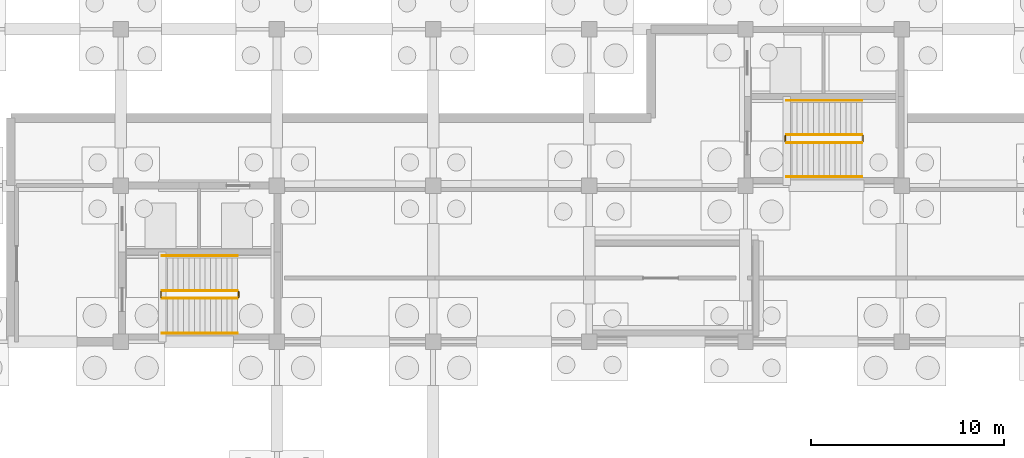
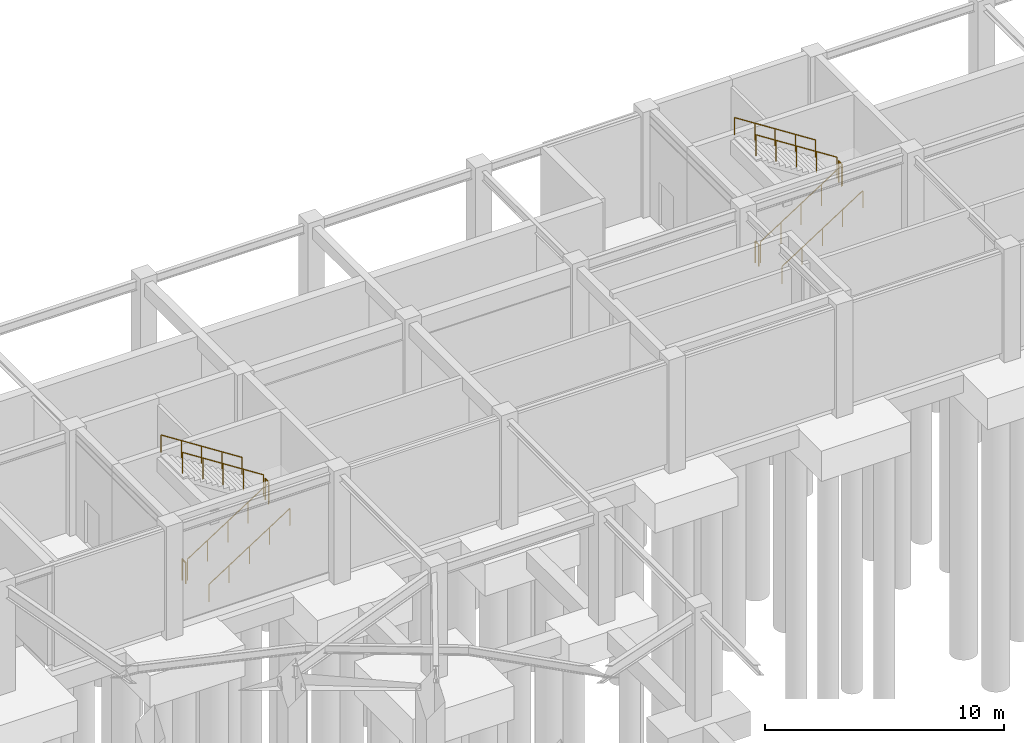
# One storey, part 23 of 26: 12 railings.
"""IFC4 building model written with IfcOpenShell, lengths in metres."""

from ifc_helpers import new_model, si_unit, direction, frame, origin, origin_2d, place, context, subcontext, project, spatial, circle, extrude, material, type_object, element, save


model = new_model("IFC4")

# Units and contexts
model_context = context("Model", 3, precision=1e-05, world=origin(), true_north=direction((0.0, 1.0)))
body_context = subcontext(model_context, "Body", "Model", "MODEL_VIEW")
ifc_project = project(units=[si_unit("LENGTHUNIT", "METRE"), si_unit("AREAUNIT", "SQUARE_METRE"), si_unit("VOLUMEUNIT", "CUBIC_METRE"), si_unit("PLANEANGLEUNIT", "RADIAN"), si_unit("MASSUNIT", "GRAM", prefix="KILO")], contexts=[model_context])

# Site, building, storey
site_placement = place(None, origin())
site = spatial("IfcSite", under=ifc_project, at=site_placement, CompositionType="ELEMENT")
building_placement = place(site_placement, origin())
building = spatial("IfcBuilding", under=site, at=building_placement, Name="Parian Resonance Hall", CompositionType="ELEMENT")
storey_placement = place(building_placement, frame((0.0, 0.0, -5.39990234375)))
storey = spatial("IfcBuildingStorey", under=building, at=storey_placement, Name="B1", CompositionType="ELEMENT", Elevation=-5.39990234375)

# Railings
ifc_material_1 = material(Name="Patinated bronze whiplash metalwork")
railing_type_1 = type_object("IfcRailingType", Name="RAIL-STAIR-GRD-1100", PredefinedType="GUARDRAIL", material=ifc_material_1)
railing_1_placement = place(storey_placement, frame((58.840087890625, 75.14990234375, 0.179931640625)))
element("IfcRailing", 1, at=railing_1_placement, inside=storey, type_object=railing_type_1, Name="B1 ST-01 stair guard 1", PredefinedType="GUARDRAIL", context=body_context, shape_type="SweptSolid", body=[
    extrude(circle(Radius=0.02392578125, at=origin_2d()), frame((0.0, 0.0, 1.076171875), z_axis=(0.841171666519, 0.0, 0.540768182723), x_axis=(0.0, 1.0, 0.0)), (0.0, 0.0, 1.0), 4.66015625),
    extrude(circle(Radius=0.02099609375, at=origin_2d()), origin(), (0.0, 0.0, 1.0), 1.052001953125),
    extrude(circle(Radius=0.02099609375, at=origin_2d()), frame((0.97998046875, 0.0, 0.6298828125)), (0.0, 0.0, 1.0), 1.052001953125),
    extrude(circle(Radius=0.02099609375, at=origin_2d()), frame((1.9599609375, 0.0, 1.260009765625)), (0.0, 0.0, 1.0), 1.052001953125),
    extrude(circle(Radius=0.02099609375, at=origin_2d()), frame((2.93994140625, 0.0, 1.89013671875)), (0.0, 0.0, 1.0), 1.052001953125),
    extrude(circle(Radius=0.02099609375, at=origin_2d()), frame((3.919921875, 0.0, 2.52001953125)), (0.0, 0.0, 1.0), 1.052001953125),
])
railing_2_placement = place(storey_placement, frame((62.81005859375, 75.199951171875, 2.699951171875)))
element("IfcRailing", 2, at=railing_2_placement, inside=storey, type_object=railing_type_1, Name="B1 ST-01 stair guard 2", PredefinedType="GUARDRAIL", context=body_context, shape_type="SweptSolid", body=[
    extrude(circle(Radius=0.02392578125, at=origin_2d()), frame((0.0, 0.0, 1.076171875), z_axis=(0.0, 1.0, 0.0), x_axis=(-1.0, 0.0, 0.0)), (0.0, 0.0, 1.0), 0.300048828125),
    extrude(circle(Radius=0.02099609375, at=origin_2d()), origin(), (0.0, 0.0, 1.0), 1.052001953125),
    extrude(circle(Radius=0.02099609375, at=origin_2d()), frame((0.0, 0.300048828125, 0.0)), (0.0, 0.0, 1.0), 1.052001953125),
])
railing_3_placement = place(storey_placement, frame((62.760009765625, 75.550048828125, 2.8798828125)))
element("IfcRailing", 3, at=railing_3_placement, inside=storey, type_object=railing_type_1, Name="B1 ST-01 stair guard 3", PredefinedType="GUARDRAIL", context=body_context, shape_type="SweptSolid", body=[
    extrude(circle(Radius=0.02392578125, at=origin_2d()), frame((0.0, 0.0, 1.076171875), z_axis=(-0.841171666519, 0.0, 0.540768182723), x_axis=(0.0, -1.0, 0.0)), (0.0, 0.0, 1.0), 4.66015625),
    extrude(circle(Radius=0.02099609375, at=origin_2d()), origin(), (0.0, 0.0, 1.0), 1.052001953125),
    extrude(circle(Radius=0.02099609375, at=origin_2d()), frame((-0.97998046875, 0.0, 0.6298828125)), (0.0, 0.0, 1.0), 1.052001953125),
    extrude(circle(Radius=0.02099609375, at=origin_2d()), frame((-1.9599609375, 0.0, 1.260009765625)), (0.0, 0.0, 1.0), 1.052001953125),
    extrude(circle(Radius=0.02099609375, at=origin_2d()), frame((-2.93994140625, 0.0, 1.89013671875)), (0.0, 0.0, 1.0), 1.052001953125),
    extrude(circle(Radius=0.02099609375, at=origin_2d()), frame((-3.919921875, 0.0, 2.52001953125)), (0.0, 0.0, 1.0), 1.052001953125),
])
railing_4_placement = place(storey_placement, frame((58.7900390625, 75.199951171875, 0.0)))
element("IfcRailing", 4, at=railing_4_placement, inside=storey, type_object=railing_type_1, Name="B1 ST-01 stair guard 4", PredefinedType="GUARDRAIL", context=body_context, shape_type="SweptSolid", body=[
    extrude(circle(Radius=0.02392578125, at=origin_2d()), frame((0.0, 0.0, 1.076171875), z_axis=(0.0, 1.0, 0.0), x_axis=(-1.0, 0.0, 0.0)), (0.0, 0.0, 1.0), 0.300048828125),
    extrude(circle(Radius=0.02099609375, at=origin_2d()), origin(), (0.0, 0.0, 1.0), 1.052001953125),
    extrude(circle(Radius=0.02099609375, at=origin_2d()), frame((0.0, 0.300048828125, 0.0)), (0.0, 0.0, 1.0), 1.052001953125),
])
railing_5_placement = place(storey_placement, frame((91.219970703125, 83.22998046875, 0.179931640625)))
element("IfcRailing", 5, at=railing_5_placement, inside=storey, type_object=railing_type_1, Name="B1 ST-05 stair guard 1", PredefinedType="GUARDRAIL", context=body_context, shape_type="SweptSolid", body=[
    extrude(circle(Radius=0.02392578125, at=origin_2d()), frame((0.0, 0.0, 1.076171875), z_axis=(0.841171666519, 0.0, 0.540768182723), x_axis=(0.0, 1.0, 0.0)), (0.0, 0.0, 1.0), 4.66015625),
    extrude(circle(Radius=0.02099609375, at=origin_2d()), origin(), (0.0, 0.0, 1.0), 1.052001953125),
    extrude(circle(Radius=0.02099609375, at=origin_2d()), frame((0.97998046875, 0.0, 0.6298828125)), (0.0, 0.0, 1.0), 1.052001953125),
    extrude(circle(Radius=0.02099609375, at=origin_2d()), frame((1.9599609375, 0.0, 1.260009765625)), (0.0, 0.0, 1.0), 1.052001953125),
    extrude(circle(Radius=0.02099609375, at=origin_2d()), frame((2.93994140625, 0.0, 1.89013671875)), (0.0, 0.0, 1.0), 1.052001953125),
    extrude(circle(Radius=0.02099609375, at=origin_2d()), frame((3.919921875, 0.0, 2.52001953125)), (0.0, 0.0, 1.0), 1.052001953125),
])
railing_6_placement = place(storey_placement, frame((95.18994140625, 83.280029296875, 2.699951171875)))
element("IfcRailing", 6, at=railing_6_placement, inside=storey, type_object=railing_type_1, Name="B1 ST-05 stair guard 2", PredefinedType="GUARDRAIL", context=body_context, shape_type="SweptSolid", body=[
    extrude(circle(Radius=0.02392578125, at=origin_2d()), frame((0.0, 0.0, 1.076171875), z_axis=(0.0, 1.0, 0.0), x_axis=(-1.0, 0.0, 0.0)), (0.0, 0.0, 1.0), 0.300048828125),
    extrude(circle(Radius=0.02099609375, at=origin_2d()), origin(), (0.0, 0.0, 1.0), 1.052001953125),
    extrude(circle(Radius=0.02099609375, at=origin_2d()), frame((0.0, 0.300048828125, 0.0)), (0.0, 0.0, 1.0), 1.052001953125),
])
railing_7_placement = place(storey_placement, frame((95.139892578125, 83.6298828125, 2.8798828125)))
element("IfcRailing", 7, at=railing_7_placement, inside=storey, type_object=railing_type_1, Name="B1 ST-05 stair guard 3", PredefinedType="GUARDRAIL", context=body_context, shape_type="SweptSolid", body=[
    extrude(circle(Radius=0.02392578125, at=origin_2d()), frame((0.0, 0.0, 1.076171875), z_axis=(-0.841171666519, 0.0, 0.540768182723), x_axis=(0.0, -1.0, 0.0)), (0.0, 0.0, 1.0), 4.66015625),
    extrude(circle(Radius=0.02099609375, at=origin_2d()), origin(), (0.0, 0.0, 1.0), 1.052001953125),
    extrude(circle(Radius=0.02099609375, at=origin_2d()), frame((-0.97998046875, 0.0, 0.6298828125)), (0.0, 0.0, 1.0), 1.052001953125),
    extrude(circle(Radius=0.02099609375, at=origin_2d()), frame((-1.9599609375, 0.0, 1.260009765625)), (0.0, 0.0, 1.0), 1.052001953125),
    extrude(circle(Radius=0.02099609375, at=origin_2d()), frame((-2.93994140625, 0.0, 1.89013671875)), (0.0, 0.0, 1.0), 1.052001953125),
    extrude(circle(Radius=0.02099609375, at=origin_2d()), frame((-3.919921875, 0.0, 2.52001953125)), (0.0, 0.0, 1.0), 1.052001953125),
])
railing_8_placement = place(storey_placement, frame((91.169921875, 83.280029296875, 0.0)))
element("IfcRailing", 8, at=railing_8_placement, inside=storey, type_object=railing_type_1, Name="B1 ST-05 stair guard 4", PredefinedType="GUARDRAIL", context=body_context, shape_type="SweptSolid", body=[
    extrude(circle(Radius=0.02392578125, at=origin_2d()), frame((0.0, 0.0, 1.076171875), z_axis=(0.0, 1.0, 0.0), x_axis=(-1.0, 0.0, 0.0)), (0.0, 0.0, 1.0), 0.300048828125),
    extrude(circle(Radius=0.02099609375, at=origin_2d()), origin(), (0.0, 0.0, 1.0), 1.052001953125),
    extrude(circle(Radius=0.02099609375, at=origin_2d()), frame((0.0, 0.300048828125, 0.0)), (0.0, 0.0, 1.0), 1.052001953125),
])
ifc_material_2 = material(Name="Patinated bronze whiplash metalwork")
railing_type_2 = type_object("IfcRailingType", Name="RAIL-STAIR-HR-900", PredefinedType="HANDRAIL", material=ifc_material_2)
railing_9_placement = place(storey_placement, frame((58.840087890625, 73.35009765625, 0.179931640625)))
element("IfcRailing", 9, at=railing_9_placement, inside=storey, type_object=railing_type_2, Name="B1 ST-01 stair handrail 1", PredefinedType="HANDRAIL", context=body_context, shape_type="SweptSolid", body=[
    extrude(circle(Radius=0.02392578125, at=origin_2d()), frame((0.0, 0.0, 0.8759765625), z_axis=(0.841171666519, 0.0, 0.540768182723), x_axis=(0.0, 1.0, 0.0)), (0.0, 0.0, 1.0), 4.66015625),
    extrude(circle(Radius=0.02099609375, at=origin_2d()), origin(), (0.0, 0.0, 1.0), 0.851806640625),
    extrude(circle(Radius=0.02099609375, at=origin_2d()), frame((0.97998046875, 0.0, 0.6298828125)), (0.0, 0.0, 1.0), 0.851806640625),
    extrude(circle(Radius=0.02099609375, at=origin_2d()), frame((1.9599609375, 0.0, 1.260009765625)), (0.0, 0.0, 1.0), 0.851806640625),
    extrude(circle(Radius=0.02099609375, at=origin_2d()), frame((2.93994140625, 0.0, 1.89013671875)), (0.0, 0.0, 1.0), 0.851806640625),
    extrude(circle(Radius=0.02099609375, at=origin_2d()), frame((3.919921875, 0.0, 2.52001953125)), (0.0, 0.0, 1.0), 0.851806640625),
])
railing_10_placement = place(storey_placement, frame((62.760009765625, 77.35009765625, 2.8798828125)))
element("IfcRailing", 10, at=railing_10_placement, inside=storey, type_object=railing_type_2, Name="B1 ST-01 stair handrail 2", PredefinedType="HANDRAIL", context=body_context, shape_type="SweptSolid", body=[
    extrude(circle(Radius=0.02392578125, at=origin_2d()), frame((0.0, 0.0, 0.8759765625), z_axis=(-0.841171666519, 0.0, 0.540768182723), x_axis=(0.0, -1.0, 0.0)), (0.0, 0.0, 1.0), 4.66015625),
    extrude(circle(Radius=0.02099609375, at=origin_2d()), origin(), (0.0, 0.0, 1.0), 0.851806640625),
    extrude(circle(Radius=0.02099609375, at=origin_2d()), frame((-0.97998046875, 0.0, 0.6298828125)), (0.0, 0.0, 1.0), 0.851806640625),
    extrude(circle(Radius=0.02099609375, at=origin_2d()), frame((-1.9599609375, 0.0, 1.260009765625)), (0.0, 0.0, 1.0), 0.851806640625),
    extrude(circle(Radius=0.02099609375, at=origin_2d()), frame((-2.93994140625, 0.0, 1.89013671875)), (0.0, 0.0, 1.0), 0.851806640625),
    extrude(circle(Radius=0.02099609375, at=origin_2d()), frame((-3.919921875, 0.0, 2.52001953125)), (0.0, 0.0, 1.0), 0.851806640625),
])
railing_11_placement = place(storey_placement, frame((91.219970703125, 81.449951171875, 0.179931640625)))
element("IfcRailing", 11, at=railing_11_placement, inside=storey, type_object=railing_type_2, Name="B1 ST-05 stair handrail 1", PredefinedType="HANDRAIL", context=body_context, shape_type="SweptSolid", body=[
    extrude(circle(Radius=0.02392578125, at=origin_2d()), frame((0.0, 0.0, 0.8759765625), z_axis=(0.841171666519, 0.0, 0.540768182723), x_axis=(0.0, 1.0, 0.0)), (0.0, 0.0, 1.0), 4.66015625),
    extrude(circle(Radius=0.02099609375, at=origin_2d()), origin(), (0.0, 0.0, 1.0), 0.851806640625),
    extrude(circle(Radius=0.02099609375, at=origin_2d()), frame((0.97998046875, 0.0, 0.6298828125)), (0.0, 0.0, 1.0), 0.851806640625),
    extrude(circle(Radius=0.02099609375, at=origin_2d()), frame((1.9599609375, 0.0, 1.260009765625)), (0.0, 0.0, 1.0), 0.851806640625),
    extrude(circle(Radius=0.02099609375, at=origin_2d()), frame((2.93994140625, 0.0, 1.89013671875)), (0.0, 0.0, 1.0), 0.851806640625),
    extrude(circle(Radius=0.02099609375, at=origin_2d()), frame((3.919921875, 0.0, 2.52001953125)), (0.0, 0.0, 1.0), 0.851806640625),
])
railing_12_placement = place(storey_placement, frame((95.139892578125, 85.409912109375, 2.8798828125)))
element("IfcRailing", 12, at=railing_12_placement, inside=storey, type_object=railing_type_2, Name="B1 ST-05 stair handrail 2", PredefinedType="HANDRAIL", context=body_context, shape_type="SweptSolid", body=[
    extrude(circle(Radius=0.02392578125, at=origin_2d()), frame((0.0, 0.0, 0.8759765625), z_axis=(-0.841171666519, 0.0, 0.540768182723), x_axis=(0.0, -1.0, 0.0)), (0.0, 0.0, 1.0), 4.66015625),
    extrude(circle(Radius=0.02099609375, at=origin_2d()), origin(), (0.0, 0.0, 1.0), 0.851806640625),
    extrude(circle(Radius=0.02099609375, at=origin_2d()), frame((-0.97998046875, 0.0, 0.6298828125)), (0.0, 0.0, 1.0), 0.851806640625),
    extrude(circle(Radius=0.02099609375, at=origin_2d()), frame((-1.9599609375, 0.0, 1.260009765625)), (0.0, 0.0, 1.0), 0.851806640625),
    extrude(circle(Radius=0.02099609375, at=origin_2d()), frame((-2.93994140625, 0.0, 1.89013671875)), (0.0, 0.0, 1.0), 0.851806640625),
    extrude(circle(Radius=0.02099609375, at=origin_2d()), frame((-3.919921875, 0.0, 2.52001953125)), (0.0, 0.0, 1.0), 0.851806640625),
])

save(model, "model.ifc")
